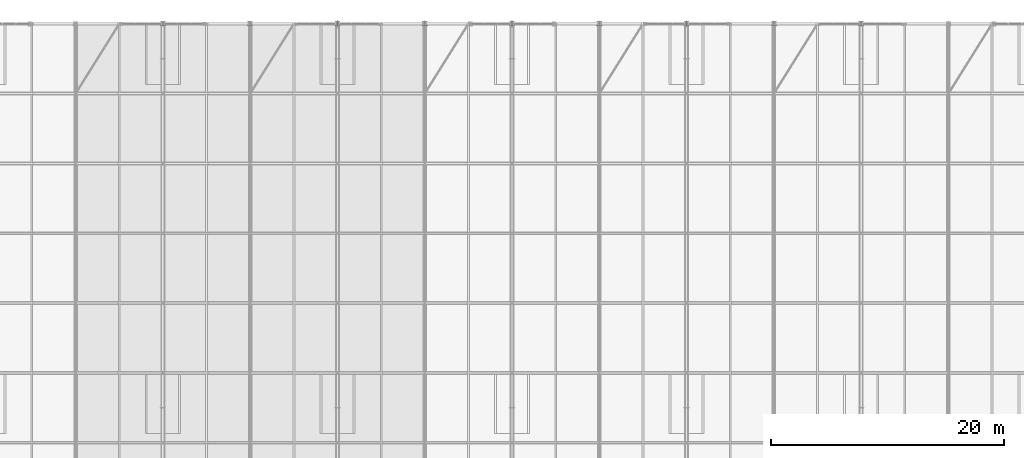
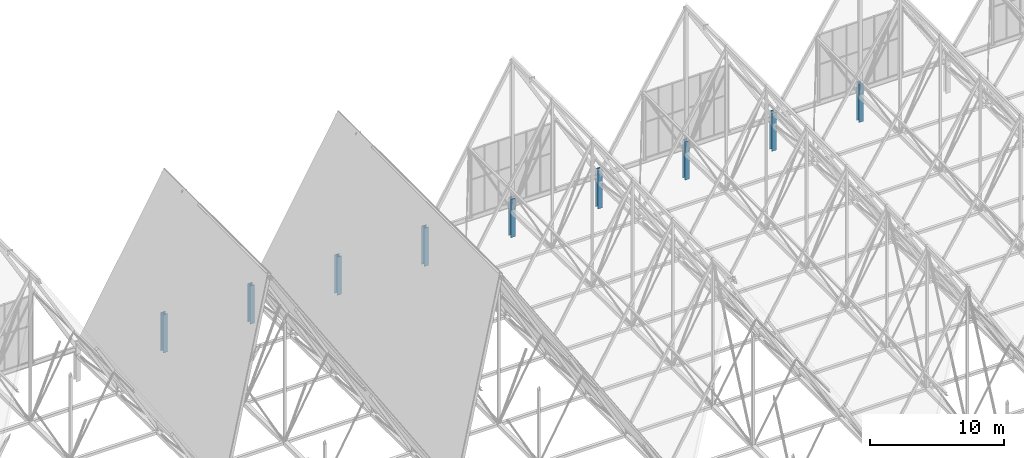
# One storey, part 10 of 324: 9 columns.
"""IFC4 building model written with IfcOpenShell, lengths in metres."""

from ifc_helpers import new_model, si_unit, direction, frame, origin, origin_2d, place, context, subcontext, project, spatial, i_section, extrude, material, material_profile, profile_set, type_object, element, save


model = new_model("IFC4")

# Units and contexts
model_context = context("Model", 3, precision=1e-05, world=origin(), true_north=direction((0.0, 1.0)))
body_context = subcontext(model_context, "Body", "Model", "MODEL_VIEW")
ifc_project = project(units=[si_unit("LENGTHUNIT", "METRE"), si_unit("AREAUNIT", "SQUARE_METRE"), si_unit("VOLUMEUNIT", "CUBIC_METRE"), si_unit("PLANEANGLEUNIT", "RADIAN"), si_unit("MASSUNIT", "GRAM", prefix="KILO")], contexts=[model_context])

# Site, building, storey
site_placement = place(None, origin())
site = spatial("IfcSite", under=ifc_project, at=site_placement, CompositionType="ELEMENT")
building_placement = place(site_placement, origin())
building = spatial("IfcBuilding", under=site, at=building_placement, Name="Solvenia Promenade Tram Depot", CompositionType="ELEMENT")
storey_placement = place(building_placement, frame((0.0, 0.0, 4.5)))
storey = spatial("IfcBuildingStorey", under=building, at=storey_placement, Name="L01", CompositionType="ELEMENT", Elevation=4.5)

# Columns
ifc_material = material(Name="Structural steel ASTM A992 Gr. 50", Category="steel")
ifc_material_profile = material_profile(ifc_material, i_section(OverallWidth=0.39404296875, OverallDepth=0.375, WebThickness=0.0205078125, FlangeThickness=0.033203125, FilletRadius=0.01806640625, at=origin_2d()), Name="W360x216", Category="steel")
ifc_profile_set = profile_set([ifc_material_profile], Name="Structural steel ASTM A992 Gr. 50")
column_type = type_object("IfcColumnType", Name="Col-W360x216", PredefinedType="COLUMN", material=ifc_profile_set)
for number, where, z_axis, x_axis, name in (
    (1, (67.5, 126.0, 0.0), (0.0, 0.0, 1.0), (1.0, 0.0, 0.0), "Steel Column COL-L01-159"),
    (2, (75.0, 126.0, 0.0), (0.0, 0.0, 1.0), (1.0, 0.0, 0.0), "Steel Column COL-L01-170"),
    (3, (82.5, 126.0, 0.0), (0.0, 0.0, 1.0), (1.0, 0.0, 0.0), "Steel Column COL-L01-181"),
    (4, (90.0, 126.0, 0.0), (0.0, 0.0, 1.0), (1.0, 0.0, 0.0), "Steel Column COL-L01-190"),
    (5, (97.5, 126.0, 0.0), (0.0, 0.0, 1.0), (1.0, 0.0, 0.0), "Steel Column COL-L01-195"),
    (6, (105.0, 126.0, 0.0), (0.0, 0.0, 1.0), (1.0, 0.0, 0.0), "Steel Column COL-L01-210"),
    (7, (112.5, 126.0, 0.0), (0.0, 0.0, 1.0), (1.0, 0.0, 0.0), "Steel Column COL-L01-225"),
    (8, (120.0, 126.0, 0.0), (0.0, 0.0, 1.0), (1.0, 0.0, 0.0), "Steel Column COL-L01-243"),
    (9, (127.5, 126.0, 0.0), (0.0, 0.0, 1.0), (1.0, 0.0, 0.0), "Steel Column COL-L01-261"),
):
    element("IfcColumn", number, at=place(storey_placement, frame(where, z_axis=z_axis, x_axis=x_axis)), inside=storey, type_object=column_type, Name=name, PredefinedType="COLUMN", context=body_context, shape_type="SweptSolid", body=[
        extrude(i_section(OverallWidth=0.39404296875, OverallDepth=0.375, WebThickness=0.0205078125, FlangeThickness=0.033203125, FilletRadius=0.01806640625, at=origin_2d()), origin(), (0.0, 0.0, 1.0), 3.5),
    ])

save(model, "model.ifc")
